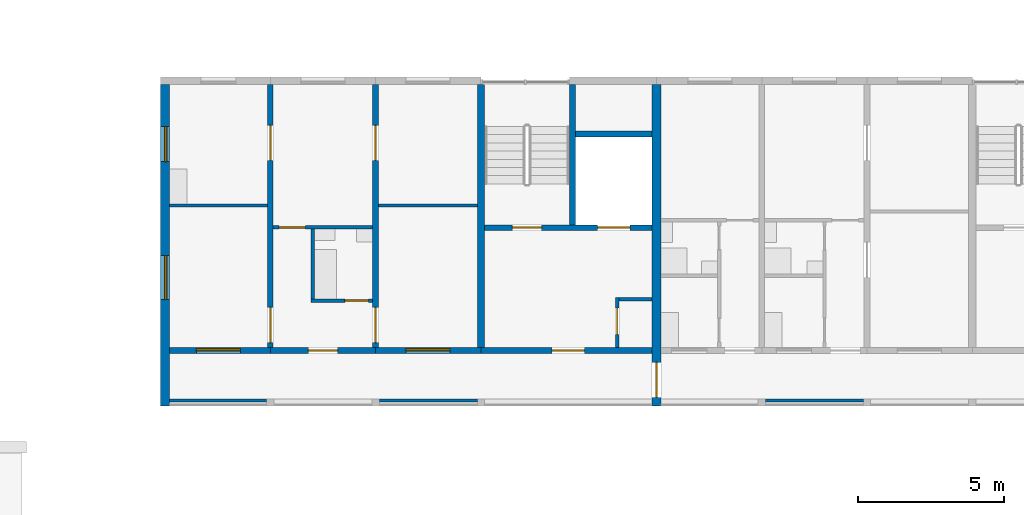
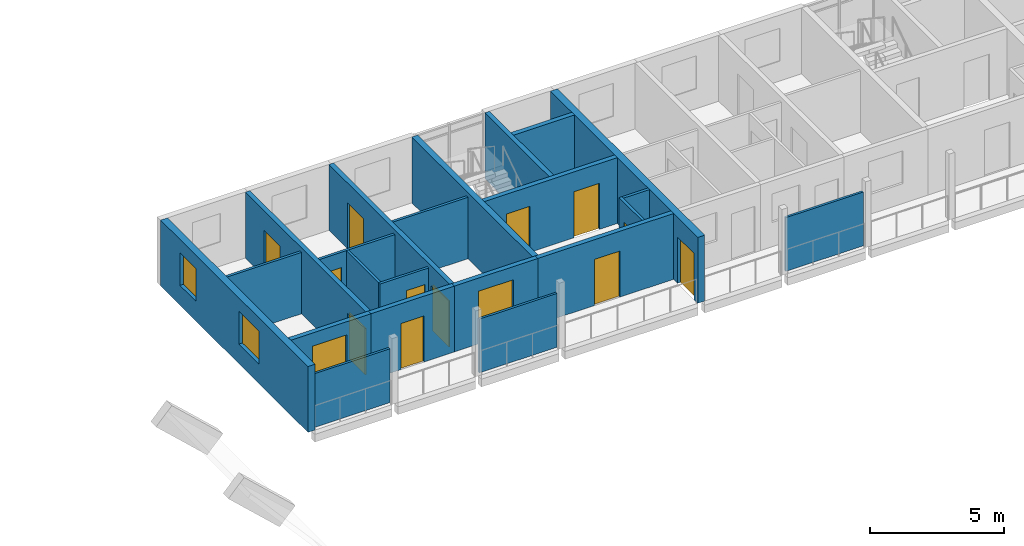
# One storey, part 50 of 98: 22 walls, 12 doors, 4 windows, 16 openings.
"""IFC4 building model written with IfcOpenShell, lengths in metres."""

import ifcopenshell
import ifcopenshell.guid

model = None  # the IFC model being written
_history = None  # IfcOwnerHistory: only IFC2X3 demands one
_inside = {}  # id of a spatial element -> (the spatial element, [elements in it])
_under = {}  # id of a project, library or spatial element -> (it, [spatial elements below it])
_declared = {}  # id of a project -> (the project, [libraries it declares])
_typed = {}  # id of a type object -> (the type object, [elements of that type])
_made_of = {}  # id of a material, layer set ... -> (it, [elements and type objects made of it])


def new_model(schema):
    """Start an empty IFC model of exactly this schema.

    Asked for "IFC4X3", IfcOpenShell would pick the latest addendum, in which some entities
    have other attributes; the version numbers below select the first issue.
    IFC2X3 requires an IfcOwnerHistory on every rooted entity: one is made here for all.
    """
    global model, _history
    if schema == "IFC4X3":
        model = ifcopenshell.file(schema_version=(4, 3, 0, 0))
    else:
        model = ifcopenshell.file(schema=schema)
    _inside.clear()
    _under.clear()
    _declared.clear()
    _typed.clear()
    _made_of.clear()
    _history = None
    if model.schema == "IFC2X3":
        org = make("IfcOrganization", Name="unknown")
        user = make(
            "IfcPersonAndOrganization",
            ThePerson=make("IfcPerson", FamilyName="unknown"),
            TheOrganization=org,
        )
        app = make(
            "IfcApplication",
            ApplicationDeveloper=org,
            Version="unknown",
            ApplicationFullName="unknown",
            ApplicationIdentifier="unknown",
        )
        _history = make(
            "IfcOwnerHistory",
            OwningUser=user,
            OwningApplication=app,
            ChangeAction="ADDED",
            CreationDate=0,
        )
    return model


def make(cls, **values):
    """One entity of the class cls with the attributes given. An attribute that is None is left unset."""
    return model.create_entity(
        cls, **{name: value for name, value in values.items() if value is not None}
    )


def rooted(cls, **values):
    """An entity with a GlobalId (a new one), such as an element, a storey or a relation."""
    return make(cls, GlobalId=ifcopenshell.guid.new(), OwnerHistory=_history, **values)


def si_unit(unit_type, name, prefix=None):
    """IfcSIUnit, for example si_unit("LENGTHUNIT", "METRE", prefix="MILLI")."""
    return make("IfcSIUnit", UnitType=unit_type, Prefix=prefix, Name=name)


def assignment(units):
    """IfcUnitAssignment: the units of a project."""
    return None if units is None else make("IfcUnitAssignment", Units=units)


def point(xyz):
    """IfcCartesianPoint."""
    return None if xyz is None else make("IfcCartesianPoint", Coordinates=xyz)


def direction(xyz):
    """IfcDirection."""
    return None if xyz is None else make("IfcDirection", DirectionRatios=xyz)


def frame(location, z_axis=None, x_axis=None):
    """IfcAxis2Placement3D, a coordinate frame: its origin and axes. An axis left out is left unset."""
    return make(
        "IfcAxis2Placement3D",
        Location=point(location),
        Axis=direction(z_axis),
        RefDirection=direction(x_axis),
    )


def frame_2d(location, x_axis=None):
    """IfcAxis2Placement2D, a coordinate frame in the plane: its origin and x axis."""
    return make(
        "IfcAxis2Placement2D", Location=point(location), RefDirection=direction(x_axis)
    )


def origin():
    """The frame at (0, 0, 0) with its axes left unset."""
    return frame((0.0, 0.0, 0.0))


def place(relative_to, where):
    """IfcLocalPlacement: puts the frame where relative to a parent placement (None: the world)."""
    return make(
        "IfcLocalPlacement", PlacementRelTo=relative_to, RelativePlacement=where
    )


def context(
    kind, dimensions, precision=None, world=None, true_north=None, identifier=None
):
    """IfcGeometricRepresentationContext, for example the 3D "Model" context."""
    return make(
        "IfcGeometricRepresentationContext",
        ContextIdentifier=identifier,
        ContextType=kind,
        CoordinateSpaceDimension=dimensions,
        Precision=precision,
        WorldCoordinateSystem=world,
        TrueNorth=true_north,
    )


def subcontext(parent, identifier, kind, view, scale=None):
    """IfcGeometricRepresentationSubContext, for example "Body" below "Model"."""
    return make(
        "IfcGeometricRepresentationSubContext",
        ContextIdentifier=identifier,
        ContextType=kind,
        ParentContext=parent,
        TargetScale=scale,
        TargetView=view,
    )


def project(units=None, contexts=None):
    """IfcProject with its units and contexts."""
    return rooted(
        "IfcProject",
        Name="project",
        RepresentationContexts=contexts,
        UnitsInContext=assignment(units),
    )


def spatial(cls, under=None, at=None, **own):
    """A site, building, storey or space (cls), placed at a placement, below another one or the project."""
    s = rooted(cls, ObjectPlacement=at, **own)
    if under is not None:
        _under.setdefault(under.id(), (under, []))[1].append(s)
    return s


def profile(cls, at=None, kind="AREA", **sizes):
    """A parametric profile (cls). Its sizes go by their IFC names, for example OverallWidth=200.0."""
    return make(cls, ProfileType=kind, Position=at, **sizes)


def rectangle(**sizes):
    """IfcRectangleProfileDef."""
    return profile("IfcRectangleProfileDef", **sizes)


def extrude(swept, where, along, depth):
    """IfcExtrudedAreaSolid: the profile swept, set in the frame where, extruded along a direction by depth."""
    return make(
        "IfcExtrudedAreaSolid",
        SweptArea=swept,
        Position=where,
        ExtrudedDirection=direction(along),
        Depth=depth,
    )


def shape(context_of_items, identifier, shape_type, items):
    """IfcShapeRepresentation: the items that make up one representation, for example the "Body"."""
    return make(
        "IfcShapeRepresentation",
        ContextOfItems=context_of_items,
        RepresentationIdentifier=identifier,
        RepresentationType=shape_type,
        Items=items,
    )


def material(Name=None, Category=None):
    """IfcMaterial."""
    return make("IfcMaterial", Name=Name, Category=Category)


def layer(
    of_material, thickness, ventilated=None, Name=None, Category=None, Priority=None
):
    """IfcMaterialLayer: one layer of a wall or slab, of a material (None: an air gap)."""
    return make(
        "IfcMaterialLayer",
        Material=of_material,
        LayerThickness=thickness,
        IsVentilated=ventilated,
        Name=Name,
        Category=Category,
        Priority=Priority,
    )


def layer_set(layers, Name=None):
    """IfcMaterialLayerSet."""
    return make("IfcMaterialLayerSet", MaterialLayers=layers, LayerSetName=Name)


def made_of(thing, what):
    """Note that an element or type object is made of a material, layer set ...; save() writes the relation."""
    if what is not None:
        _made_of.setdefault(what.id(), (what, []))[1].append(thing)
    return thing


def type_object(cls, material=None, **own):
    """A type object (cls), such as IfcWallType, which elements share."""
    return made_of(rooted(cls, **own), material)


def element(
    cls,
    number,
    at=None,
    inside=None,
    cuts=None,
    type_object=None,
    material=None,
    context=None,
    identifier="Body",
    shape_type=None,
    held_by="IfcProductDefinitionShape",
    body=None,
    shapes=None,
    **own,
):
    """One element of the class cls, such as IfcWall. Its Tag is "e" and its number.

    at: its placement. inside: the storey or other place that contains it. cuts: it is an
    opening in that element (IfcRelVoidsElement). A single representation is given by context,
    identifier, shape_type and body (its items); several are given by shapes. held_by: the class
    of the entity that holds the representations. save() writes the other relations.
    """
    e = rooted(cls, Tag="e%d" % number, ObjectPlacement=at, **own)
    if body is not None:
        shapes = [shape(context, identifier, shape_type, body)]
    if shapes is not None:
        e.Representation = make(held_by, Representations=shapes)
    if inside is not None:
        _inside.setdefault(inside.id(), (inside, []))[1].append(e)
    if cuts is not None:
        rooted(
            "IfcRelVoidsElement", RelatingBuildingElement=cuts, RelatedOpeningElement=e
        )
    if type_object is not None:
        _typed.setdefault(type_object.id(), (type_object, []))[1].append(e)
    return made_of(e, material)


def fill(opening, filler):
    """IfcRelFillsElement: the door or window that sits in an opening."""
    return rooted(
        "IfcRelFillsElement",
        RelatingOpeningElement=opening,
        RelatedBuildingElement=filler,
    )


def aggregate(whole, parts):
    """IfcRelAggregates: a whole, such as a stair, and the parts it consists of."""
    return rooted("IfcRelAggregates", RelatingObject=whole, RelatedObjects=parts)


def save(model, path):
    """Write the relations noted so far, then the file.

    IfcRelAggregates (storeys below a building ...), IfcRelContainedInSpatialStructure (elements
    in a storey), IfcRelDefinesByType, IfcRelAssociatesMaterial and IfcRelDeclares: one each for
    every whole, place, type object, material and project.
    """
    for whole, parts in _under.values():
        aggregate(whole, parts)
    for where, things in _inside.values():
        rooted(
            "IfcRelContainedInSpatialStructure",
            RelatedElements=things,
            RelatingStructure=where,
        )
    for kind, things in _typed.values():
        rooted("IfcRelDefinesByType", RelatedObjects=things, RelatingType=kind)
    for what, things in _made_of.values():
        rooted("IfcRelAssociatesMaterial", RelatedObjects=things, RelatingMaterial=what)
    for by, libraries in _declared.values():
        rooted("IfcRelDeclares", RelatingContext=by, RelatedDefinitions=libraries)
    model.write(path)


model = new_model("IFC4")

# Units and contexts
model_context = context("Model", 3, precision=1e-05, world=origin(), true_north=direction((0.0, 1.0)))
body_context = subcontext(model_context, "Body", "Model", "MODEL_VIEW")
ifc_project = project(units=[si_unit("LENGTHUNIT", "METRE"), si_unit("AREAUNIT", "SQUARE_METRE"), si_unit("VOLUMEUNIT", "CUBIC_METRE"), si_unit("PLANEANGLEUNIT", "RADIAN"), si_unit("MASSUNIT", "GRAM", prefix="KILO")], contexts=[model_context])

# Site, building, storey
site_placement = place(None, origin())
site = spatial("IfcSite", under=ifc_project, at=site_placement, CompositionType="ELEMENT")
building_placement = place(site_placement, origin())
building = spatial("IfcBuilding", under=site, at=building_placement, Name="Ridgestep Commons", CompositionType="ELEMENT")
storey_placement = place(building_placement, frame((0.0, 0.0, 12.0)))
storey = spatial("IfcBuildingStorey", under=building, at=storey_placement, Name="L04", CompositionType="ELEMENT", Elevation=12.0)

# Wall
ifc_material_1 = material(Name="Concrete C30/37", Category="concrete")
ifc_layer_1 = layer(ifc_material_1, 0.25)
ifc_layer_set_1 = layer_set([ifc_layer_1], Name="Core cross wall 250")
wall_type_1 = type_object("IfcWallType", Name="Core cross wall 250", PredefinedType="SHEAR", material=ifc_layer_set_1)
wall_1_placement = place(storey_placement, frame((157.60009765625, 68.0, 0.0), z_axis=(0.0, 0.0, 1.0), x_axis=(0.0, 1.0, 0.0)))
element("IfcWall", 1, at=wall_1_placement, inside=storey, type_object=wall_type_1, Name="Cross wall C-04-1576", PredefinedType="SHEAR", context=body_context, shape_type="SweptSolid", body=[
    extrude(rectangle(XDim=9.0, YDim=0.25, at=frame_2d((4.5, 0.0))), origin(), (0.0, 0.0, 1.0), 3.0),
])

# Wall, opening, door
ifc_material_2 = material(Name="Concrete C30/37", Category="concrete")
ifc_layer_2 = layer(ifc_material_2, 0.199951171875)
ifc_layer_set_2 = layer_set([ifc_layer_2], Name="Core south wall 200")
wall_type_2 = type_object("IfcWallType", Name="Core south wall 200", PredefinedType="SHEAR", material=ifc_layer_set_2)
wall_2_placement = place(storey_placement, frame((157.60009765625, 67.89990234375, 0.0), z_axis=(0.0, 0.0, 1.0), x_axis=(1.0, 0.0, 0.0)))
wall_2 = element("IfcWall", 2, at=wall_2_placement, inside=storey, type_object=wall_type_2, Name="Core south wall C1C L04", PredefinedType="SHEAR", context=body_context, shape_type="SweptSolid", body=[
    extrude(rectangle(XDim=5.849853515625, YDim=0.199951171875, at=frame_2d((2.9248046875, 0.0))), origin(), (0.0, 0.0, 1.0), 3.0),
])
opening_1_placement = place(wall_2_placement, frame((2.4375, 0.0, 0.0)))
opening_1 = element("IfcOpeningElement", 3, at=opening_1_placement, cuts=wall_2, Name="Opening C1C/04/1", PredefinedType="OPENING", context=body_context, shape_type="SweptSolid", body=[
    extrude(rectangle(XDim=1.10009765625, YDim=2.10009765625, at=frame_2d((0.550048828125, 1.050048828125))), frame((0.0, 0.10986328125, 0.0), z_axis=(0.0, -1.0, 0.0), x_axis=(1.0, 0.0, 0.0)), (0.0, 0.0, 1.0), 0.219970703125),
])
ifc_material_3 = material(Name="Steel fire door", Category="steel")
door_type_1 = type_object("IfcDoorType", Name="Lobby door 1100 x 2100 FD60", OperationType="NOTDEFINED", PredefinedType="DOOR", material=ifc_material_3)
door_1_placement = place(opening_1_placement, origin())
door_1 = element("IfcDoor", 4, at=door_1_placement, inside=storey, type_object=door_type_1, Name="Lobby door C1C/04/1", OperationType="SINGLE_SWING_LEFT", OverallHeight=2.10009765625, OverallWidth=1.10009765625, PredefinedType="DOOR", context=body_context, shape_type="SweptSolid", body=[
    extrude(rectangle(XDim=1.10009765625, YDim=2.10009765625, at=frame_2d((0.550048828125, 1.050048828125))), frame((0.0, 0.02490234375, 0.0), z_axis=(0.0, -1.0, 0.0), x_axis=(1.0, 0.0, 0.0)), (0.0, 0.0, 1.0), 0.050048828125),
])
fill(opening_1, door_1)

ifc_material_4 = material(Name="Concrete C30/37", Category="concrete")
ifc_layer_3 = layer(ifc_material_4, 0.1201171875)
ifc_layer_set_3 = layer_set([ifc_layer_3], Name="Core wall 120")
wall_type_3 = type_object("IfcWallType", Name="Core wall 120", PredefinedType="SHEAR", material=ifc_layer_set_3)
wall_3_placement = place(storey_placement, frame((162.260009765625, 68.0, 0.0), z_axis=(0.0, 0.0, 1.0), x_axis=(0.0, 1.0, 0.0)))
wall_3 = element("IfcWall", 5, at=wall_3_placement, inside=storey, type_object=wall_type_3, Name="Core riser w wall C1C L04", PredefinedType="SHEAR", context=body_context, shape_type="SweptSolid", body=[
    extrude(rectangle(XDim=1.719970703125, YDim=0.1201171875, at=frame_2d((0.85986328125, 0.0))), origin(), (0.0, 0.0, 1.0), 3.0),
])
opening_2_placement = place(wall_3_placement, frame((0.449951171875, 0.0, 0.0)))
opening_2 = element("IfcOpeningElement", 6, at=opening_2_placement, cuts=wall_3, Name="Opening C1C/04/4", PredefinedType="OPENING", context=body_context, shape_type="SweptSolid", body=[
    extrude(rectangle(XDim=0.89990234375, YDim=2.10009765625, at=frame_2d((0.449951171875, 1.050048828125))), frame((0.0, 0.070068359375, 0.0), z_axis=(0.0, -1.0, 0.0), x_axis=(1.0, 0.0, 0.0)), (0.0, 0.0, 1.0), 0.14013671875),
])
ifc_material_5 = material(Name="Steel fire door", Category="steel")
door_type_2 = type_object("IfcDoorType", Name="Riser door 900 x 2100 FD60", OperationType="NOTDEFINED", PredefinedType="DOOR", material=ifc_material_5)
door_2_placement = place(opening_2_placement, origin())
door_2 = element("IfcDoor", 7, at=door_2_placement, inside=storey, type_object=door_type_2, Name="Riser door C1C/04/4", OperationType="SINGLE_SWING_LEFT", OverallHeight=2.10009765625, OverallWidth=0.89990234375, PredefinedType="DOOR", context=body_context, shape_type="SweptSolid", body=[
    extrude(rectangle(XDim=0.89990234375, YDim=2.10009765625, at=frame_2d((0.449951171875, 1.050048828125))), frame((0.0, 0.02490234375, 0.0), z_axis=(0.0, -1.0, 0.0), x_axis=(1.0, 0.0, 0.0)), (0.0, 0.0, 1.0), 0.050048828125),
])
fill(opening_2, door_2)

# Wall
wall_4_placement = place(storey_placement, frame((162.320068359375, 69.659912109375, 0.0), z_axis=(0.0, 0.0, 1.0), x_axis=(1.0, 0.0, 0.0)))
element("IfcWall", 8, at=wall_4_placement, inside=storey, type_object=wall_type_3, Name="Core riser n wall C1C L04", PredefinedType="SHEAR", context=body_context, shape_type="SweptSolid", body=[
    extrude(rectangle(XDim=1.1298828125, YDim=0.1201171875, at=frame_2d((0.56494140625, 0.0))), origin(), (0.0, 0.0, 1.0), 3.0),
])

# Wall, openings, doors
ifc_material_6 = material(Name="Concrete C30/37", Category="concrete")
ifc_layer_4 = layer(ifc_material_6, 0.199951171875)
ifc_layer_set_4 = layer_set([ifc_layer_4], Name="Core wall 200")
wall_type_4 = type_object("IfcWallType", Name="Core wall 200", PredefinedType="SHEAR", material=ifc_layer_set_4)
wall_5_placement = place(storey_placement, frame((157.72509765625, 72.10009765625, 0.0), z_axis=(0.0, 0.0, 1.0), x_axis=(1.0, 0.0, 0.0)))
wall_5 = element("IfcWall", 9, at=wall_5_placement, inside=storey, type_object=wall_type_4, Name="Core lobby wall C1C L04", PredefinedType="SHEAR", context=body_context, shape_type="SweptSolid", body=[
    extrude(rectangle(XDim=5.724853515625, YDim=0.199951171875, at=frame_2d((2.8623046875, 0.0))), origin(), (0.0, 0.0, 1.0), 3.0),
])
opening_3_placement = place(wall_5_placement, frame((0.949951171875, 0.0, 0.0)))
opening_3 = element("IfcOpeningElement", 10, at=opening_3_placement, cuts=wall_5, Name="Opening C1C/04/2", PredefinedType="OPENING", context=body_context, shape_type="SweptSolid", body=[
    extrude(rectangle(XDim=1.0, YDim=2.10009765625, at=frame_2d((0.5, 1.050048828125))), frame((0.0, 0.10986328125, 0.0), z_axis=(0.0, -1.0, 0.0), x_axis=(1.0, 0.0, 0.0)), (0.0, 0.0, 1.0), 0.219970703125),
])
opening_4_placement = place(wall_5_placement, frame((3.862548828125, 0.0, 0.0)))
opening_4 = element("IfcOpeningElement", 11, at=opening_4_placement, cuts=wall_5, Name="Opening C1C/04/3", PredefinedType="OPENING", context=body_context, shape_type="SweptSolid", body=[
    extrude(rectangle(XDim=1.10009765625, YDim=2.10009765625, at=frame_2d((0.550048828125, 1.050048828125))), frame((0.0, 0.10986328125, 0.0), z_axis=(0.0, -1.0, 0.0), x_axis=(1.0, 0.0, 0.0)), (0.0, 0.0, 1.0), 0.219970703125),
])
ifc_material_7 = material(Name="Stainless steel", Category="steel")
door_type_3 = type_object("IfcDoorType", Name="Lift landing door 1100 x 2100 FD60", OperationType="DOUBLE_DOOR_SLIDING", PredefinedType="DOOR", material=ifc_material_7)
door_3_placement = place(opening_4_placement, origin())
door_3 = element("IfcDoor", 12, at=door_3_placement, inside=storey, type_object=door_type_3, Name="Landing door LD C1C L04", OperationType="DOUBLE_DOOR_SLIDING", OverallHeight=2.10009765625, OverallWidth=1.10009765625, PredefinedType="DOOR", context=body_context, shape_type="SweptSolid", body=[
    extrude(rectangle(XDim=1.10009765625, YDim=2.10009765625, at=frame_2d((0.550048828125, 1.050048828125))), frame((0.0, 0.02490234375, 0.0), z_axis=(0.0, -1.0, 0.0), x_axis=(1.0, 0.0, 0.0)), (0.0, 0.0, 1.0), 0.050048828125),
])
fill(opening_4, door_3)
ifc_material_8 = material(Name="Steel fire door", Category="steel")
door_type_4 = type_object("IfcDoorType", Name="Stair door 1000 x 2100 FD60", OperationType="NOTDEFINED", PredefinedType="DOOR", material=ifc_material_8)
door_4_placement = place(opening_3_placement, origin())
door_4 = element("IfcDoor", 13, at=door_4_placement, inside=storey, type_object=door_type_4, Name="Stair door C1C/04/2", OperationType="SINGLE_SWING_RIGHT", OverallHeight=2.10009765625, OverallWidth=1.0, PredefinedType="DOOR", context=body_context, shape_type="SweptSolid", body=[
    extrude(rectangle(XDim=1.0, YDim=2.10009765625, at=frame_2d((0.5, 1.050048828125))), frame((0.0, 0.02490234375, 0.0), z_axis=(0.0, -1.0, 0.0), x_axis=(1.0, 0.0, 0.0)), (0.0, 0.0, 1.0), 0.050048828125),
])
fill(opening_3, door_4)

# Walls
wall_6_placement = place(storey_placement, frame((160.72509765625, 72.199951171875, 0.0), z_axis=(0.0, 0.0, 1.0), x_axis=(0.0, 1.0, 0.0)))
element("IfcWall", 14, at=wall_6_placement, inside=storey, type_object=wall_type_4, Name="Core stair wall C1C L04", PredefinedType="SHEAR", context=body_context, shape_type="SweptSolid", body=[
    extrude(rectangle(XDim=4.800048828125, YDim=0.199951171875, at=frame_2d((2.39990234375, 0.0))), origin(), (0.0, 0.0, 1.0), 3.0),
])
wall_7_placement = place(storey_placement, frame((160.824951171875, 75.300048828125, 0.0), z_axis=(0.0, 0.0, 1.0), x_axis=(1.0, 0.0, 0.0)))
element("IfcWall", 15, at=wall_7_placement, inside=storey, type_object=wall_type_4, Name="Core duct wall C1C L04", PredefinedType="SHEAR", context=body_context, shape_type="SweptSolid", body=[
    extrude(rectangle(XDim=2.625, YDim=0.199951171875, at=frame_2d((1.3125, 0.0))), origin(), (0.0, 0.0, 1.0), 3.0),
])

# Wall, openings, doors
ifc_material_9 = material(Name="Precast concrete C40/50", Category="concrete")
ifc_layer_5 = layer(ifc_material_9, 0.199951171875)
ifc_layer_set_5 = layer_set([ifc_layer_5], Name="Cross wall 200")
wall_type_5 = type_object("IfcWallType", Name="Cross wall 200", PredefinedType="SHEAR", material=ifc_layer_set_5)
wall_8_placement = place(storey_placement, frame((150.39990234375, 68.0, 0.0), z_axis=(0.0, 0.0, 1.0), x_axis=(0.0, 1.0, 0.0)))
wall_8 = element("IfcWall", 16, at=wall_8_placement, inside=storey, type_object=wall_type_5, Name="Cross wall C-04-1504", PredefinedType="SHEAR", context=body_context, shape_type="SweptSolid", body=[
    extrude(rectangle(XDim=9.0, YDim=0.199951171875, at=frame_2d((4.5, 0.0))), origin(), (0.0, 0.0, 1.0), 3.0),
])
opening_5_placement = place(wall_8_placement, frame((0.175048828125, 0.0, 0.0)))
opening_5 = element("IfcOpeningElement", 17, at=opening_5_placement, cuts=wall_8, Name="Opening C1-04a/4", PredefinedType="OPENING", context=body_context, shape_type="SweptSolid", body=[
    extrude(rectangle(XDim=1.199951171875, YDim=2.10009765625, at=frame_2d((0.60009765625, 1.050048828125))), frame((0.0, 0.10986328125, 0.0), z_axis=(0.0, -1.0, 0.0), x_axis=(1.0, 0.0, 0.0)), (0.0, 0.0, 1.0), 0.219970703125),
])
opening_6_placement = place(wall_8_placement, frame((6.39990234375, 0.0, 0.0)))
opening_6 = element("IfcOpeningElement", 18, at=opening_6_placement, cuts=wall_8, Name="Opening C1-04a/5", PredefinedType="OPENING", context=body_context, shape_type="SweptSolid", body=[
    extrude(rectangle(XDim=1.199951171875, YDim=2.10009765625, at=frame_2d((0.60009765625, 1.050048828125))), frame((0.0, 0.10986328125, 0.0), z_axis=(0.0, -1.0, 0.0), x_axis=(1.0, 0.0, 0.0)), (0.0, 0.0, 1.0), 0.219970703125),
])
ifc_material_10 = material(Name="Timber door leaf", Category="wood")
door_type_5 = type_object("IfcDoorType", Name="Double door 1200 x 2100", OperationType="DOUBLE_DOOR_SINGLE_SWING", PredefinedType="DOOR", material=ifc_material_10)
door_5_placement = place(opening_5_placement, origin())
door_5 = element("IfcDoor", 19, at=door_5_placement, inside=storey, type_object=door_type_5, Name="Double door C1-04a/4", OperationType="DOUBLE_DOOR_SINGLE_SWING", OverallHeight=2.10009765625, OverallWidth=1.199951171875, PredefinedType="DOOR", context=body_context, shape_type="SweptSolid", body=[
    extrude(rectangle(XDim=1.199951171875, YDim=2.10009765625, at=frame_2d((0.60009765625, 1.050048828125))), frame((0.0, 0.02490234375, 0.0), z_axis=(0.0, -1.0, 0.0), x_axis=(1.0, 0.0, 0.0)), (0.0, 0.0, 1.0), 0.050048828125),
])
fill(opening_5, door_5)
door_6_placement = place(opening_6_placement, origin())
door_6 = element("IfcDoor", 20, at=door_6_placement, inside=storey, type_object=door_type_5, Name="Double door C1-04a/5", OperationType="DOUBLE_DOOR_SINGLE_SWING", OverallHeight=2.10009765625, OverallWidth=1.199951171875, PredefinedType="DOOR", context=body_context, shape_type="SweptSolid", body=[
    extrude(rectangle(XDim=1.199951171875, YDim=2.10009765625, at=frame_2d((0.60009765625, 1.050048828125))), frame((0.0, 0.02490234375, 0.0), z_axis=(0.0, -1.0, 0.0), x_axis=(1.0, 0.0, 0.0)), (0.0, 0.0, 1.0), 0.050048828125),
])
fill(opening_6, door_6)

wall_9_placement = place(storey_placement, frame((154.0, 68.0, 0.0), z_axis=(0.0, 0.0, 1.0), x_axis=(0.0, 1.0, 0.0)))
wall_9 = element("IfcWall", 21, at=wall_9_placement, inside=storey, type_object=wall_type_5, Name="Cross wall C-04-1540", PredefinedType="SHEAR", context=body_context, shape_type="SweptSolid", body=[
    extrude(rectangle(XDim=9.0, YDim=0.199951171875, at=frame_2d((4.5, 0.0))), origin(), (0.0, 0.0, 1.0), 3.0),
])
opening_7_placement = place(wall_9_placement, frame((0.175048828125, 0.0, 0.0)))
opening_7 = element("IfcOpeningElement", 22, at=opening_7_placement, cuts=wall_9, Name="Opening C1-04a/6", PredefinedType="OPENING", context=body_context, shape_type="SweptSolid", body=[
    extrude(rectangle(XDim=1.199951171875, YDim=2.10009765625, at=frame_2d((0.60009765625, 1.050048828125))), frame((0.0, 0.10986328125, 0.0), z_axis=(0.0, -1.0, 0.0), x_axis=(1.0, 0.0, 0.0)), (0.0, 0.0, 1.0), 0.219970703125),
])
opening_8_placement = place(wall_9_placement, frame((6.39990234375, 0.0, 0.0)))
opening_8 = element("IfcOpeningElement", 23, at=opening_8_placement, cuts=wall_9, Name="Opening C1-04a/7", PredefinedType="OPENING", context=body_context, shape_type="SweptSolid", body=[
    extrude(rectangle(XDim=1.199951171875, YDim=2.10009765625, at=frame_2d((0.60009765625, 1.050048828125))), frame((0.0, 0.10986328125, 0.0), z_axis=(0.0, -1.0, 0.0), x_axis=(1.0, 0.0, 0.0)), (0.0, 0.0, 1.0), 0.219970703125),
])
door_7_placement = place(opening_7_placement, origin())
door_7 = element("IfcDoor", 24, at=door_7_placement, inside=storey, type_object=door_type_5, Name="Double door C1-04a/6", OperationType="DOUBLE_DOOR_SINGLE_SWING", OverallHeight=2.10009765625, OverallWidth=1.199951171875, PredefinedType="DOOR", context=body_context, shape_type="SweptSolid", body=[
    extrude(rectangle(XDim=1.199951171875, YDim=2.10009765625, at=frame_2d((0.60009765625, 1.050048828125))), frame((0.0, 0.02490234375, 0.0), z_axis=(0.0, -1.0, 0.0), x_axis=(1.0, 0.0, 0.0)), (0.0, 0.0, 1.0), 0.050048828125),
])
fill(opening_7, door_7)
door_8_placement = place(opening_8_placement, origin())
door_8 = element("IfcDoor", 25, at=door_8_placement, inside=storey, type_object=door_type_5, Name="Double door C1-04a/7", OperationType="DOUBLE_DOOR_SINGLE_SWING", OverallHeight=2.10009765625, OverallWidth=1.199951171875, PredefinedType="DOOR", context=body_context, shape_type="SweptSolid", body=[
    extrude(rectangle(XDim=1.199951171875, YDim=2.10009765625, at=frame_2d((0.60009765625, 1.050048828125))), frame((0.0, 0.02490234375, 0.0), z_axis=(0.0, -1.0, 0.0), x_axis=(1.0, 0.0, 0.0)), (0.0, 0.0, 1.0), 0.050048828125),
])
fill(opening_8, door_8)

# Wall, opening, door
ifc_material_11 = material(Name="Precast concrete C40/50", Category="concrete")
ifc_layer_6 = layer(ifc_material_11, 0.300048828125)
ifc_layer_set_6 = layer_set([ifc_layer_6], Name="Division wall 300")
wall_type_6 = type_object("IfcWallType", Name="Division wall 300", PredefinedType="SHEAR", material=ifc_layer_set_6)
wall_10_placement = place(storey_placement, frame((163.60009765625, 66.0, 0.0), z_axis=(0.0, 0.0, 1.0), x_axis=(0.0, 1.0, 0.0)))
wall_10 = element("IfcWall", 26, at=wall_10_placement, inside=storey, type_object=wall_type_6, Name="Cross wall C-04-1636", PredefinedType="SHEAR", context=body_context, shape_type="SweptSolid", body=[
    extrude(rectangle(XDim=11.0, YDim=0.300048828125, at=frame_2d((5.5, 0.0))), origin(), (0.0, 0.0, 1.0), 3.0),
])
opening_9_placement = place(wall_10_placement, frame((0.300048828125, 0.0, 0.0)))
opening_9 = element("IfcOpeningElement", 27, at=opening_9_placement, cuts=wall_10, Name="Opening C/04/G1636", PredefinedType="OPENING", context=body_context, shape_type="SweptSolid", body=[
    extrude(rectangle(XDim=1.199951171875, YDim=2.10009765625, at=frame_2d((0.60009765625, 1.050048828125))), frame((0.0, 0.159912109375, 0.0), z_axis=(0.0, -1.0, 0.0), x_axis=(1.0, 0.0, 0.0)), (0.0, 0.0, 1.0), 0.320068359375),
])
ifc_material_12 = material(Name="Steel fire door", Category="steel")
door_type_6 = type_object("IfcDoorType", Name="Division fire door 1200 x 2100 EI 240", OperationType="DOUBLE_DOOR_SINGLE_SWING", PredefinedType="DOOR", material=ifc_material_12)
door_9_placement = place(opening_9_placement, origin())
door_9 = element("IfcDoor", 28, at=door_9_placement, inside=storey, type_object=door_type_6, Name="Division fire door C/04/G1636", OperationType="DOUBLE_DOOR_SINGLE_SWING", OverallHeight=2.10009765625, OverallWidth=1.199951171875, PredefinedType="DOOR", context=body_context, shape_type="SweptSolid", body=[
    extrude(rectangle(XDim=1.199951171875, YDim=2.10009765625, at=frame_2d((0.60009765625, 1.050048828125))), frame((0.0, 0.02490234375, 0.0), z_axis=(0.0, -1.0, 0.0), x_axis=(1.0, 0.0, 0.0)), (0.0, 0.0, 1.0), 0.050048828125),
])
fill(opening_9, door_9)

# Wall, openings, windows
ifc_material_13 = material(Name="Precast concrete C40/50", Category="concrete")
ifc_layer_7 = layer(ifc_material_13, 0.300048828125)
ifc_layer_set_7 = layer_set([ifc_layer_7], Name="Exposed division wall 300")
wall_type_7 = type_object("IfcWallType", Name="Exposed division wall 300", PredefinedType="SHEAR", material=ifc_layer_set_7)
wall_11_placement = place(storey_placement, frame((146.800048828125, 66.0, 0.0), z_axis=(0.0, 0.0, 1.0), x_axis=(0.0, 1.0, 0.0)))
wall_11 = element("IfcWall", 29, at=wall_11_placement, inside=storey, type_object=wall_type_7, Name="Cross wall C-04-1468", PredefinedType="SHEAR", context=body_context, shape_type="SweptSolid", body=[
    extrude(rectangle(XDim=11.0, YDim=0.300048828125, at=frame_2d((5.5, 0.0))), origin(), (0.0, 0.0, 1.0), 3.0),
])
opening_10_placement = place(wall_11_placement, frame((3.64990234375, 0.0, 0.89990234375)))
opening_10 = element("IfcOpeningElement", 30, at=opening_10_placement, cuts=wall_11, Name="Opening W16", PredefinedType="OPENING", context=body_context, shape_type="SweptSolid", body=[
    extrude(rectangle(XDim=1.5, YDim=1.5, at=frame_2d((0.75, 0.75))), frame((0.0, 0.159912109375, 0.0), z_axis=(0.0, -1.0, 0.0), x_axis=(1.0, 0.0, 0.0)), (0.0, 0.0, 1.0), 0.320068359375),
])
opening_11_placement = place(wall_11_placement, frame((8.35498046875, 0.0, 0.89990234375)))
opening_11 = element("IfcOpeningElement", 31, at=opening_11_placement, cuts=wall_11, Name="Opening W10", PredefinedType="OPENING", context=body_context, shape_type="SweptSolid", body=[
    extrude(rectangle(XDim=1.199951171875, YDim=1.5, at=frame_2d((0.60009765625, 0.75))), frame((0.0, 0.159912109375, 0.0), z_axis=(0.0, -1.0, 0.0), x_axis=(1.0, 0.0, 0.0)), (0.0, 0.0, 1.0), 0.320068359375),
])
ifc_material_14 = material(Name="Aluminium 6063-T6 and glass", Category="aluminium")
window_type_1 = type_object("IfcWindowType", Name="Flat window 1200 x 1500", PartitioningType="SINGLE_PANEL", PredefinedType="WINDOW", material=ifc_material_14)
window_1_placement = place(opening_11_placement, origin())
window_1 = element("IfcWindow", 32, at=window_1_placement, inside=storey, type_object=window_type_1, Name="Window C1-04a 7", OverallHeight=1.5, OverallWidth=1.199951171875, PartitioningType="SINGLE_PANEL", PredefinedType="WINDOW", context=body_context, shape_type="SweptSolid", body=[
    extrude(rectangle(XDim=1.199951171875, YDim=1.5, at=frame_2d((0.60009765625, 0.75))), frame((0.0, 0.0, 0.0), z_axis=(0.0, -1.0, 0.0), x_axis=(1.0, 0.0, 0.0)), (0.0, 0.0, 1.0), 0.06005859375),
])
fill(opening_11, window_1)
ifc_material_15 = material(Name="Aluminium 6063-T6 and glass", Category="aluminium")
window_type_2 = type_object("IfcWindowType", Name="Flat window 1500 x 1500", PartitioningType="DOUBLE_PANEL_VERTICAL", PredefinedType="WINDOW", material=ifc_material_15)
window_2_placement = place(opening_10_placement, origin())
window_2 = element("IfcWindow", 33, at=window_2_placement, inside=storey, type_object=window_type_2, Name="Window C1-04a 6", OverallHeight=1.5, OverallWidth=1.5, PartitioningType="SINGLE_PANEL", PredefinedType="WINDOW", context=body_context, shape_type="SweptSolid", body=[
    extrude(rectangle(XDim=1.5, YDim=1.5, at=frame_2d((0.75, 0.75))), frame((0.0, 0.0, 0.0), z_axis=(0.0, -1.0, 0.0), x_axis=(1.0, 0.0, 0.0)), (0.0, 0.0, 1.0), 0.06005859375),
])
fill(opening_10, window_2)

# Wall, opening, door
ifc_material_16 = material(Name="Common brick 110 mm", Category="masonry")
ifc_layer_8 = layer(ifc_material_16, 0.110107421875)
ifc_layer_set_8 = layer_set([ifc_layer_8], Name="Partition 110")
wall_type_8 = type_object("IfcWallType", Name="Partition 110", PredefinedType="PARTITIONING", material=ifc_layer_set_8)
wall_12_placement = place(storey_placement, frame((151.800048828125, 69.60498046875, 0.0), z_axis=(0.0, 0.0, 1.0), x_axis=(1.0, 0.0, 0.0)))
wall_12 = element("IfcWall", 34, at=wall_12_placement, inside=storey, type_object=wall_type_8, Name="Partition C1-04a", PredefinedType="PARTITIONING", context=body_context, shape_type="SweptSolid", body=[
    extrude(rectangle(XDim=2.099853515625, YDim=0.110107421875, at=frame_2d((1.0498046875, 0.0))), origin(), (0.0, 0.0, 1.0), 2.800048828125),
])
opening_12_placement = place(wall_12_placement, frame((1.14990234375, 0.0, 0.0)))
opening_12 = element("IfcOpeningElement", 35, at=opening_12_placement, cuts=wall_12, Name="Opening C1-04a/2", PredefinedType="OPENING", context=body_context, shape_type="SweptSolid", body=[
    extrude(rectangle(XDim=0.800048828125, YDim=2.10009765625, at=frame_2d((0.39990234375, 1.050048828125))), frame((0.0, 0.06494140625, 0.0), z_axis=(0.0, -1.0, 0.0), x_axis=(1.0, 0.0, 0.0)), (0.0, 0.0, 1.0), 0.130126953125),
])
ifc_material_17 = material(Name="Timber door leaf", Category="wood")
door_type_7 = type_object("IfcDoorType", Name="Internal door 800 x 2100", OperationType="NOTDEFINED", PredefinedType="DOOR", material=ifc_material_17)
door_10_placement = place(opening_12_placement, origin())
door_10 = element("IfcDoor", 36, at=door_10_placement, inside=storey, type_object=door_type_7, Name="Internal door C1-04a/2", OperationType="SINGLE_SWING_RIGHT", OverallHeight=2.10009765625, OverallWidth=0.800048828125, PredefinedType="DOOR", context=body_context, shape_type="SweptSolid", body=[
    extrude(rectangle(XDim=0.800048828125, YDim=2.10009765625, at=frame_2d((0.39990234375, 1.050048828125))), frame((0.0, 0.02490234375, 0.0), z_axis=(0.0, -1.0, 0.0), x_axis=(1.0, 0.0, 0.0)), (0.0, 0.0, 1.0), 0.050048828125),
])
fill(opening_12, door_10)

# Wall
wall_13_placement = place(storey_placement, frame((151.85498046875, 69.659912109375, 0.0), z_axis=(0.0, 0.0, 1.0), x_axis=(0.0, 1.0, 0.0)))
element("IfcWall", 37, at=wall_13_placement, inside=storey, type_object=wall_type_8, Name="Partition C1-04a", PredefinedType="PARTITIONING", context=body_context, shape_type="SweptSolid", body=[
    extrude(rectangle(XDim=2.400146484375, YDim=0.110107421875, at=frame_2d((1.2001953125, 0.0))), origin(), (0.0, 0.0, 1.0), 2.800048828125),
])

# Wall, opening, door
wall_14_placement = place(storey_placement, frame((150.5, 72.114990234375, 0.0), z_axis=(0.0, 0.0, 1.0), x_axis=(1.0, 0.0, 0.0)))
wall_14 = element("IfcWall", 38, at=wall_14_placement, inside=storey, type_object=wall_type_8, Name="Partition C1-04a", PredefinedType="PARTITIONING", context=body_context, shape_type="SweptSolid", body=[
    extrude(rectangle(XDim=3.39990234375, YDim=0.110107421875, at=frame_2d((1.699951171875, 0.0))), origin(), (0.0, 0.0, 1.0), 2.800048828125),
])
opening_13_placement = place(wall_14_placement, frame((0.199951171875, 0.0, 0.0)))
opening_13 = element("IfcOpeningElement", 39, at=opening_13_placement, cuts=wall_14, Name="Opening C1-04a/3", PredefinedType="OPENING", context=body_context, shape_type="SweptSolid", body=[
    extrude(rectangle(XDim=0.89990234375, YDim=2.10009765625, at=frame_2d((0.449951171875, 1.050048828125))), frame((0.0, 0.06494140625, 0.0), z_axis=(0.0, -1.0, 0.0), x_axis=(1.0, 0.0, 0.0)), (0.0, 0.0, 1.0), 0.130126953125),
])
ifc_material_18 = material(Name="Timber door leaf", Category="wood")
door_type_8 = type_object("IfcDoorType", Name="Internal door 900 x 2100", OperationType="NOTDEFINED", PredefinedType="DOOR", material=ifc_material_18)
door_11_placement = place(opening_13_placement, origin())
door_11 = element("IfcDoor", 40, at=door_11_placement, inside=storey, type_object=door_type_8, Name="Internal door C1-04a/3", OperationType="SINGLE_SWING_LEFT", OverallHeight=2.10009765625, OverallWidth=0.89990234375, PredefinedType="DOOR", context=body_context, shape_type="SweptSolid", body=[
    extrude(rectangle(XDim=0.89990234375, YDim=2.10009765625, at=frame_2d((0.449951171875, 1.050048828125))), frame((0.0, 0.02490234375, 0.0), z_axis=(0.0, -1.0, 0.0), x_axis=(1.0, 0.0, 0.0)), (0.0, 0.0, 1.0), 0.050048828125),
])
fill(opening_13, door_11)

# Walls
wall_15_placement = place(storey_placement, frame((146.949951171875, 72.85498046875, 0.0), z_axis=(0.0, 0.0, 1.0), x_axis=(1.0, 0.0, 0.0)))
element("IfcWall", 41, at=wall_15_placement, inside=storey, type_object=wall_type_8, Name="Partition C1-04a", PredefinedType="PARTITIONING", context=body_context, shape_type="SweptSolid", body=[
    extrude(rectangle(XDim=3.35009765625, YDim=0.110107421875, at=frame_2d((1.675048828125, 0.0))), origin(), (0.0, 0.0, 1.0), 2.800048828125),
])
wall_16_placement = place(storey_placement, frame((154.10009765625, 72.85498046875, 0.0), z_axis=(0.0, 0.0, 1.0), x_axis=(1.0, 0.0, 0.0)))
element("IfcWall", 42, at=wall_16_placement, inside=storey, type_object=wall_type_8, Name="Partition C1-04a", PredefinedType="PARTITIONING", context=body_context, shape_type="SweptSolid", body=[
    extrude(rectangle(XDim=3.375, YDim=0.110107421875, at=frame_2d((1.6875, 0.0))), origin(), (0.0, 0.0, 1.0), 2.800048828125),
])
ifc_material_19 = material(Name="Precast concrete C30/37", Category="concrete")
ifc_layer_9 = layer(ifc_material_19, 0.10009765625)
ifc_layer_set_9 = layer_set([ifc_layer_9], Name="Perforated gallery screen 3325 x 2450 x 100")
wall_type_9 = type_object("IfcWallType", Name="Perforated gallery screen 3325 x 2450 x 100", PredefinedType="SOLIDWALL", material=ifc_layer_set_9)
wall_17_placement = place(storey_placement, frame((146.949951171875, 66.199951171875, 0.0), z_axis=(0.0, 0.0, 1.0), x_axis=(1.0, 0.0, 0.0)))
element("IfcWall", 43, at=wall_17_placement, inside=storey, type_object=wall_type_9, Name="Gallery screen C1T1 04", PredefinedType="SOLIDWALL", context=body_context, shape_type="SweptSolid", body=[
    extrude(rectangle(XDim=3.324951171875, YDim=0.10009765625, at=frame_2d((1.66259765625, 0.0))), origin(), (0.0, 0.0, 1.0), 2.449951171875),
])
ifc_material_20 = material(Name="Precast concrete C30/37", Category="concrete")
ifc_layer_10 = layer(ifc_material_20, 0.10009765625)
ifc_layer_set_10 = layer_set([ifc_layer_10], Name="Perforated gallery screen 3350 x 2450 x 100")
wall_type_10 = type_object("IfcWallType", Name="Perforated gallery screen 3350 x 2450 x 100", PredefinedType="SOLIDWALL", material=ifc_layer_set_10)
for number, where, z_axis, x_axis, name in (
    (44, (154.125, 66.199951171875, 0.0), (0.0, 0.0, 1.0), (1.0, 0.0, 0.0), "Gallery screen C1T3 04"),
    (45, (167.324951171875, 66.199951171875, 0.0), (0.0, 0.0, 1.0), (1.0, 0.0, 0.0), "Gallery screen C2T2 04"),
):
    element("IfcWall", number, at=place(storey_placement, frame(where, z_axis=z_axis, x_axis=x_axis)), inside=storey, type_object=wall_type_10, Name=name, PredefinedType="SOLIDWALL", context=body_context, shape_type="SweptSolid", body=[
        extrude(rectangle(XDim=3.35009765625, YDim=0.10009765625, at=frame_2d((1.675048828125, 0.0))), origin(), (0.0, 0.0, 1.0), 2.449951171875),
    ])

# Wall, opening, window
ifc_material_21 = material(Name="Precast concrete C40/50", Category="concrete")
ifc_layer_11 = layer(ifc_material_21, 0.199951171875)
ifc_layer_set_11 = layer_set([ifc_layer_11], Name="South facade panel 200")
wall_type_11 = type_object("IfcWallType", Name="South facade panel 200", PredefinedType="SOLIDWALL", material=ifc_layer_set_11)
wall_18_placement = place(storey_placement, frame((146.949951171875, 67.89990234375, 0.0), z_axis=(0.0, 0.0, 1.0), x_axis=(1.0, 0.0, 0.0)))
wall_18 = element("IfcWall", 46, at=wall_18_placement, inside=storey, type_object=wall_type_11, Name="South panel C1T1 L04", PredefinedType="SOLIDWALL", context=body_context, shape_type="SweptSolid", body=[
    extrude(rectangle(XDim=3.449951171875, YDim=0.199951171875, at=frame_2d((1.72509765625, 0.0))), origin(), (0.0, 0.0, 1.0), 3.0),
])
opening_14_placement = place(wall_18_placement, frame((0.925048828125, 0.0, 0.89990234375)))
opening_14 = element("IfcOpeningElement", 47, at=opening_14_placement, cuts=wall_18, Name="Opening W16", PredefinedType="OPENING", context=body_context, shape_type="SweptSolid", body=[
    extrude(rectangle(XDim=1.5, YDim=1.5, at=frame_2d((0.75, 0.75))), frame((0.0, 0.10986328125, 0.0), z_axis=(0.0, -1.0, 0.0), x_axis=(1.0, 0.0, 0.0)), (0.0, 0.0, 1.0), 0.219970703125),
])
window_3_placement = place(opening_14_placement, origin())
window_3 = element("IfcWindow", 48, at=window_3_placement, inside=storey, type_object=window_type_2, Name="Window C1-04a 1", OverallHeight=1.5, OverallWidth=1.5, PartitioningType="SINGLE_PANEL", PredefinedType="WINDOW", context=body_context, shape_type="SweptSolid", body=[
    extrude(rectangle(XDim=1.5, YDim=1.5, at=frame_2d((0.75, 0.75))), frame((0.0, 0.06005859375, 0.0), z_axis=(0.0, -1.0, 0.0), x_axis=(1.0, 0.0, 0.0)), (0.0, 0.0, 1.0), 0.06005859375),
])
fill(opening_14, window_3)

# Wall, opening, door
wall_19_placement = place(storey_placement, frame((150.39990234375, 67.89990234375, 0.0), z_axis=(0.0, 0.0, 1.0), x_axis=(1.0, 0.0, 0.0)))
wall_19 = element("IfcWall", 49, at=wall_19_placement, inside=storey, type_object=wall_type_11, Name="South panel C1T2 L04", PredefinedType="SOLIDWALL", context=body_context, shape_type="SweptSolid", body=[
    extrude(rectangle(XDim=3.60009765625, YDim=0.199951171875, at=frame_2d((1.800048828125, 0.0))), origin(), (0.0, 0.0, 1.0), 3.0),
])
opening_15_placement = place(wall_19_placement, frame((1.300048828125, 0.0, 0.0)))
opening_15 = element("IfcOpeningElement", 50, at=opening_15_placement, cuts=wall_19, Name="Opening C1-04a/1", PredefinedType="OPENING", context=body_context, shape_type="SweptSolid", body=[
    extrude(rectangle(XDim=1.0, YDim=2.10009765625, at=frame_2d((0.5, 1.050048828125))), frame((0.0, 0.10986328125, 0.0), z_axis=(0.0, -1.0, 0.0), x_axis=(1.0, 0.0, 0.0)), (0.0, 0.0, 1.0), 0.219970703125),
])
ifc_material_22 = material(Name="Timber door leaf", Category="wood")
door_type_9 = type_object("IfcDoorType", Name="Flat entrance door 1000 x 2100 FD30S", OperationType="NOTDEFINED", PredefinedType="DOOR", material=ifc_material_22)
door_12_placement = place(opening_15_placement, origin())
door_12 = element("IfcDoor", 51, at=door_12_placement, inside=storey, type_object=door_type_9, Name="Flat entrance door C1-04a/1", OperationType="SINGLE_SWING_LEFT", OverallHeight=2.10009765625, OverallWidth=1.0, PredefinedType="DOOR", context=body_context, shape_type="SweptSolid", body=[
    extrude(rectangle(XDim=1.0, YDim=2.10009765625, at=frame_2d((0.5, 1.050048828125))), frame((0.0, 0.02490234375, 0.0), z_axis=(0.0, -1.0, 0.0), x_axis=(1.0, 0.0, 0.0)), (0.0, 0.0, 1.0), 0.050048828125),
])
fill(opening_15, door_12)

# Wall, opening, window
wall_20_placement = place(storey_placement, frame((154.0, 67.89990234375, 0.0), z_axis=(0.0, 0.0, 1.0), x_axis=(1.0, 0.0, 0.0)))
wall_20 = element("IfcWall", 52, at=wall_20_placement, inside=storey, type_object=wall_type_11, Name="South panel C1T3 L04", PredefinedType="SOLIDWALL", context=body_context, shape_type="SweptSolid", body=[
    extrude(rectangle(XDim=3.60009765625, YDim=0.199951171875, at=frame_2d((1.800048828125, 0.0))), origin(), (0.0, 0.0, 1.0), 3.0),
])
opening_16_placement = place(wall_20_placement, frame((1.03759765625, 0.0, 0.89990234375)))
opening_16 = element("IfcOpeningElement", 53, at=opening_16_placement, cuts=wall_20, Name="Opening W16", PredefinedType="OPENING", context=body_context, shape_type="SweptSolid", body=[
    extrude(rectangle(XDim=1.5, YDim=1.5, at=frame_2d((0.75, 0.75))), frame((0.0, 0.10986328125, 0.0), z_axis=(0.0, -1.0, 0.0), x_axis=(1.0, 0.0, 0.0)), (0.0, 0.0, 1.0), 0.219970703125),
])
window_4_placement = place(opening_16_placement, origin())
window_4 = element("IfcWindow", 54, at=window_4_placement, inside=storey, type_object=window_type_2, Name="Window C1-04a 3", OverallHeight=1.5, OverallWidth=1.5, PartitioningType="SINGLE_PANEL", PredefinedType="WINDOW", context=body_context, shape_type="SweptSolid", body=[
    extrude(rectangle(XDim=1.5, YDim=1.5, at=frame_2d((0.75, 0.75))), frame((0.0, 0.06005859375, 0.0), z_axis=(0.0, -1.0, 0.0), x_axis=(1.0, 0.0, 0.0)), (0.0, 0.0, 1.0), 0.06005859375),
])
fill(opening_16, window_4)

save(model, "model.ifc")
